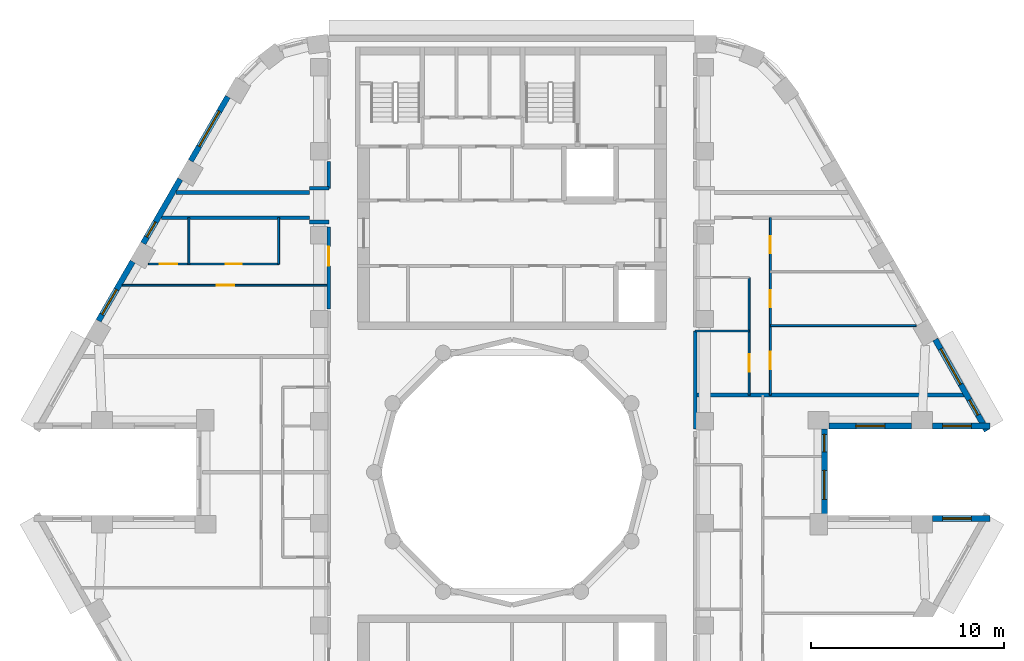
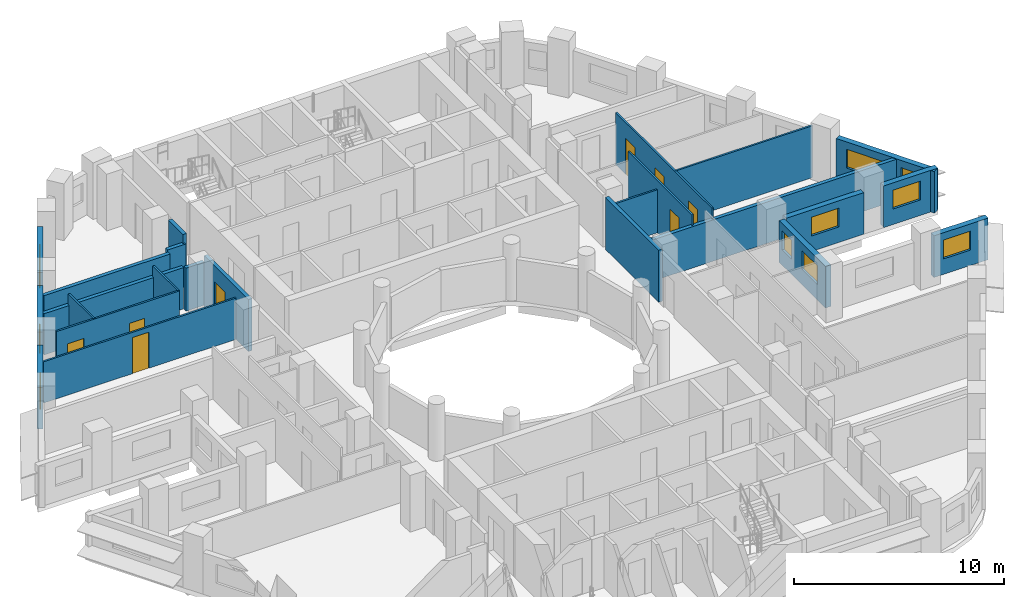
# One storey, part 6 of 12: 24 walls, 10 windows, 8 doors, 18 openings.
"""IFC4 building model written with IfcOpenShell, lengths in metres."""

from ifc_helpers import new_model, si_unit, direction, frame, frame_2d, origin, place, context, subcontext, project, spatial, rectangle, extrude, material, layer, layer_set, type_object, element, fill, save


model = new_model("IFC4")

# Units and contexts
model_context = context("Model", 3, precision=1e-05, world=origin(), true_north=direction((0.0, 1.0)))
body_context = subcontext(model_context, "Body", "Model", "MODEL_VIEW")
ifc_project = project(units=[si_unit("LENGTHUNIT", "METRE"), si_unit("AREAUNIT", "SQUARE_METRE"), si_unit("VOLUMEUNIT", "CUBIC_METRE"), si_unit("PLANEANGLEUNIT", "RADIAN"), si_unit("MASSUNIT", "GRAM", prefix="KILO")], contexts=[model_context])

# Site, building, storey
site_placement = place(None, origin())
site = spatial("IfcSite", under=ifc_project, at=site_placement, CompositionType="ELEMENT")
building_placement = place(site_placement, origin())
building = spatial("IfcBuilding", under=site, at=building_placement, Name="Nakaniwa Court", CompositionType="ELEMENT")
storey_placement = place(building_placement, frame((0.0, 0.0, 249.300048828125)))
storey = spatial("IfcBuildingStorey", under=building, at=storey_placement, Name="L65", CompositionType="ELEMENT", Elevation=249.300048828125)

# Walls
ifc_material_1 = material(Name="Acoustic double stud partition")
ifc_layer_1 = layer(ifc_material_1, 0.199951171875)
ifc_layer_set_1 = layer_set([ifc_layer_1], Name="Acoustic double stud partition")
wall_type_1 = type_object("IfcWallType", Name="Acoustic double stud partition 200", PredefinedType="PARTITIONING", material=ifc_layer_set_1)
wall_1_placement = place(storey_placement, frame((89.5, 82.237060546875, 0.0), z_axis=(0.0, 0.0, 1.0), x_axis=(0.0, 1.0, 0.0)))
element("IfcWall", 1, at=wall_1_placement, inside=storey, type_object=wall_type_1, Name="Partition PW-064", PredefinedType="PARTITIONING", context=body_context, shape_type="SweptSolid", body=[
    extrude(rectangle(XDim=5.09326171875, YDim=0.199951171875, at=frame_2d((2.546630859375, 0.0))), origin(), (0.0, 0.0, 1.0), 3.02490234375),
])
wall_2_placement = place(storey_placement, frame((61.8134765625, 93.199951171875, 0.0), z_axis=(0.0, 0.0, 1.0), x_axis=(1.0, 0.0, 0.0)))
element("IfcWall", 2, at=wall_2_placement, inside=storey, type_object=wall_type_1, Name="Partition PW-070", PredefinedType="PARTITIONING", context=body_context, shape_type="SweptSolid", body=[
    extrude(rectangle(XDim=7.6865234375, YDim=0.199951171875, at=frame_2d((3.84326171875, 0.0))), origin(), (0.0, 0.0, 1.0), 2.405029296875),
])
for number, where, z_axis, x_axis, name in (
    (3, (69.5, 92.97509765625, 0.0), (0.0, 0.0, 1.0), (1.0, 0.0, 0.0), "Partition PW-072"),
    (4, (69.5, 94.72509765625, 0.0), (0.0, 0.0, 1.0), (1.0, 0.0, 0.0), "Partition PW-074"),
):
    element("IfcWall", number, at=place(storey_placement, frame(where, z_axis=z_axis, x_axis=x_axis)), inside=storey, type_object=wall_type_1, Name=name, PredefinedType="PARTITIONING", context=body_context, shape_type="SweptSolid", body=[
        extrude(rectangle(XDim=1.0, YDim=0.199951171875, at=frame_2d((0.5, 0.0))), origin(), (0.0, 0.0, 1.0), 2.5048828125),
    ])
wall_3_placement = place(storey_placement, frame((62.56396484375, 94.5, 0.0), z_axis=(0.0, 0.0, 1.0), x_axis=(1.0, 0.0, 0.0)))
element("IfcWall", 5, at=wall_3_placement, inside=storey, type_object=wall_type_1, Name="Partition PW-076", PredefinedType="PARTITIONING", context=body_context, shape_type="SweptSolid", body=[
    extrude(rectangle(XDim=6.93603515625, YDim=0.199951171875, at=frame_2d((3.468017578125, 0.0))), origin(), (0.0, 0.0, 1.0), 2.405029296875),
])

# Wall, opening, door
wall_4_placement = place(storey_placement, frame((70.5, 88.47705078125, 0.0), z_axis=(0.0, 0.0, 1.0), x_axis=(0.0, 1.0, 0.0)))
wall_4 = element("IfcWall", 6, at=wall_4_placement, inside=storey, type_object=wall_type_1, Name="Partition PW-092", PredefinedType="PARTITIONING", context=body_context, shape_type="SweptSolid", body=[
    extrude(rectangle(XDim=4.23583984375, YDim=0.199951171875, at=frame_2d((2.117919921875, 0.0))), origin(), (0.0, 0.0, 1.0), 3.02490234375),
])
opening_1_placement = place(wall_4_placement, frame((2.22802734375, 0.0, 0.0)))
opening_1 = element("IfcOpeningElement", 7, at=opening_1_placement, cuts=wall_4, Name="Opening D-01-05", PredefinedType="OPENING", context=body_context, shape_type="SweptSolid", body=[
    extrude(rectangle(XDim=1.0, YDim=2.10009765625, at=frame_2d((0.5, 1.050048828125))), frame((0.0, 0.10986328125, 0.0), z_axis=(0.0, -1.0, 0.0), x_axis=(1.0, 0.0, 0.0)), (0.0, 0.0, 1.0), 0.219970703125),
])
ifc_material_2 = material(Name="Solid core timber door set, black veneer", Category="wood")
door_type_1 = type_object("IfcDoorType", Name="Flat entrance door 1000", OperationType="NOTDEFINED", PredefinedType="DOOR", material=ifc_material_2)
door_1_placement = place(opening_1_placement, origin())
door_1 = element("IfcDoor", 8, at=door_1_placement, inside=storey, type_object=door_type_1, Name="Door D-01-05 L65-055", OperationType="SINGLE_SWING_RIGHT", OverallHeight=2.10009765625, OverallWidth=1.0, PredefinedType="DOOR", context=body_context, shape_type="SweptSolid", body=[
    extrude(rectangle(XDim=1.0, YDim=2.10009765625, at=frame_2d((0.5, 1.050048828125))), frame((0.0, 0.02490234375, 0.0), z_axis=(0.0, -1.0, 0.0), x_axis=(1.0, 0.0, 0.0)), (0.0, 0.0, 1.0), 0.050048828125),
])
fill(opening_1, door_1)

# Walls
wall_5_placement = place(storey_placement, frame((70.5, 94.721923828125, 0.0), z_axis=(0.0, 0.0, 1.0), x_axis=(0.0, 1.0, 0.0)))
element("IfcWall", 9, at=wall_5_placement, inside=storey, type_object=wall_type_1, Name="Partition PW-093", PredefinedType="PARTITIONING", context=body_context, shape_type="SweptSolid", body=[
    extrude(rectangle(XDim=1.401123046875, YDim=0.199951171875, at=frame_2d((0.70068359375, 0.0))), origin(), (0.0, 0.0, 1.0), 3.02490234375),
])
wall_6_placement = place(storey_placement, frame((89.5, 84.0, 0.0), z_axis=(0.0, 0.0, 1.0), x_axis=(1.0, 0.0, 0.0)))
element("IfcWall", 10, at=wall_6_placement, inside=storey, type_object=wall_type_1, Name="Partition PW-102", PredefinedType="PARTITIONING", context=body_context, shape_type="SweptSolid", body=[
    extrude(rectangle(XDim=13.998291015625, YDim=0.199951171875, at=frame_2d((6.9990234375, 0.0))), origin(), (0.0, 0.0, 1.0), 2.405029296875),
])

# Wall, opening, window
ifc_material_3 = material(Name="Charcoal ceramic cladding")
ifc_layer_2 = layer(ifc_material_3, 0.02, Name="Ceramic cladding")
ifc_material_4 = material(Name="Ventilated air cavity")
ifc_layer_3 = layer(ifc_material_4, 0.04, ventilated=True, Name="Ventilated cavity")
ifc_material_5 = material(Name="Mineral wool insulation")
ifc_layer_4 = layer(ifc_material_5, 0.1, Name="Insulation")
ifc_material_6 = material(Name="Cement bonded sheathing board")
ifc_layer_5 = layer(ifc_material_6, 0.012, Name="Sheathing")
ifc_material_7 = material(Name="Cold-formed galvanised stud frame with mineral wool infill")
ifc_layer_6 = layer(ifc_material_7, 0.1, Name="Stud frame")
ifc_material_8 = material(Name="Fire-rated gypsum plasterboard lining")
ifc_layer_7 = layer(ifc_material_8, 0.028, Name="Lining")
ifc_layer_set_2 = layer_set([ifc_layer_2, ifc_layer_3, ifc_layer_4, ifc_layer_5, ifc_layer_6, ifc_layer_7], Name="Charcoal ceramic faced external wall system")
wall_type_2 = type_object("IfcWallType", Name="Black ceramic faced external wall 300", PredefinedType="SOLIDWALL", material=ifc_layer_set_2)
wall_7_placement = place(storey_placement, frame((96.445556640625, 82.39990234375, 0.0), z_axis=(0.0, 0.0, 1.0), x_axis=(1.0, 0.0, 0.0)))
wall_7 = element("IfcWall", 11, at=wall_7_placement, inside=storey, type_object=wall_type_2, Name="L65 external wall 00", PredefinedType="SOLIDWALL", context=body_context, shape_type="SweptSolid", body=[
    extrude(rectangle(XDim=4.2724609375, YDim=0.300048828125, at=frame_2d((2.13623046875, 0.0))), origin(), (0.0, 0.0, 1.0), 2.425048828125),
])
opening_2_placement = place(wall_7_placement, frame((1.38623046875, 0.0, 0.89990234375)))
opening_2 = element("IfcOpeningElement", 12, at=opening_2_placement, cuts=wall_7, Name="Opening W5.01", PredefinedType="OPENING", context=body_context, shape_type="SweptSolid", body=[
    extrude(rectangle(XDim=1.5, YDim=1.10009765625, at=frame_2d((0.75, 0.550048828125))), frame((0.0, 0.159912109375, 0.0), z_axis=(0.0, -1.0, 0.0), x_axis=(1.0, 0.0, 0.0)), (0.0, 0.0, 1.0), 0.320068359375),
])
ifc_material_9 = material(Name="Black anodised aluminium frame with dark low-E laminated double glazing", Category="aluminium")
window_type_1 = type_object("IfcWindowType", Name="Dark glass window 1500x1100 sill 900", PartitioningType="SINGLE_PANEL", PredefinedType="WINDOW", material=ifc_material_9)
window_1_placement = place(opening_2_placement, origin())
window_1 = element("IfcWindow", 13, at=window_1_placement, inside=storey, type_object=window_type_1, Name="L65 bedroom window 00-0", OverallHeight=1.10009765625, OverallWidth=1.5, PartitioningType="SINGLE_PANEL", PredefinedType="WINDOW", context=body_context, shape_type="SweptSolid", body=[
    extrude(rectangle(XDim=1.5, YDim=1.10009765625, at=frame_2d((0.75, 0.550048828125))), frame((0.0, 0.030029296875, 0.0), z_axis=(0.0, -1.0, 0.0), x_axis=(1.0, 0.0, 0.0)), (0.0, 0.0, 1.0), 0.06005859375),
])
fill(opening_2, window_1)

wall_8_placement = place(storey_placement, frame((101.81005859375, 82.39990234375, 0.0), z_axis=(0.0, 0.0, 1.0), x_axis=(1.0, 0.0, 0.0)))
wall_8 = element("IfcWall", 14, at=wall_8_placement, inside=storey, type_object=wall_type_2, Name="L65 external wall 01", PredefinedType="SOLIDWALL", context=body_context, shape_type="SweptSolid", body=[
    extrude(rectangle(XDim=2.98779296875, YDim=0.300048828125, at=frame_2d((1.493896484375, 0.0))), origin(), (0.0, 0.0, 1.0), 2.425048828125),
])
opening_3_placement = place(wall_8_placement, frame((0.51904296875, 0.0, 0.89990234375)))
opening_3 = element("IfcOpeningElement", 15, at=opening_3_placement, cuts=wall_8, Name="Opening W5.02", PredefinedType="OPENING", context=body_context, shape_type="SweptSolid", body=[
    extrude(rectangle(XDim=1.5, YDim=1.10009765625, at=frame_2d((0.75, 0.550048828125))), frame((0.0, 0.159912109375, 0.0), z_axis=(0.0, -1.0, 0.0), x_axis=(1.0, 0.0, 0.0)), (0.0, 0.0, 1.0), 0.320068359375),
])
window_2_placement = place(opening_3_placement, origin())
window_2 = element("IfcWindow", 16, at=window_2_placement, inside=storey, type_object=window_type_1, Name="L65 bedroom window 01-0", OverallHeight=1.10009765625, OverallWidth=1.5, PartitioningType="SINGLE_PANEL", PredefinedType="WINDOW", context=body_context, shape_type="SweptSolid", body=[
    extrude(rectangle(XDim=1.5, YDim=1.10009765625, at=frame_2d((0.75, 0.550048828125))), frame((0.0, 0.030029296875, 0.0), z_axis=(0.0, -1.0, 0.0), x_axis=(1.0, 0.0, 0.0)), (0.0, 0.0, 1.0), 0.06005859375),
])
fill(opening_3, window_2)

# Wall, openings, windows
wall_9_placement = place(storey_placement, frame((104.627197265625, 82.153564453125, 0.0), z_axis=(0.0, 0.0, 1.0), x_axis=(-0.492080931903, 0.870549456641, 0.0)))
wall_9 = element("IfcWall", 17, at=wall_9_placement, inside=storey, type_object=wall_type_2, Name="L65 external wall 02", PredefinedType="SOLIDWALL", context=body_context, shape_type="SweptSolid", body=[
    extrude(rectangle(XDim=5.436767578125, YDim=0.300048828125, at=frame_2d((2.71826171875, 0.0))), origin(), (0.0, 0.0, 1.0), 2.425048828125),
])
opening_4_placement = place(wall_9_placement, frame((0.934326171875, 0.0, 0.89990234375)))
opening_4 = element("IfcOpeningElement", 18, at=opening_4_placement, cuts=wall_9, Name="Opening W9.03", PredefinedType="OPENING", context=body_context, shape_type="SweptSolid", body=[
    extrude(rectangle(XDim=0.89990234375, YDim=1.10009765625, at=frame_2d((0.449951171875, 0.550048828125))), frame((0.0, 0.159912109375, 0.0), z_axis=(0.0, -1.0, 0.0), x_axis=(1.0, 0.0, 0.0)), (0.0, 0.0, 1.0), 0.320068359375),
])
opening_5_placement = place(wall_9_placement, frame((2.76416015625, 0.0, 0.89990234375)))
opening_5 = element("IfcOpeningElement", 19, at=opening_5_placement, cuts=wall_9, Name="Opening W7.04", PredefinedType="OPENING", context=body_context, shape_type="SweptSolid", body=[
    extrude(rectangle(XDim=2.10009765625, YDim=1.10009765625, at=frame_2d((1.050048828125, 0.550048828125))), frame((0.0, 0.159912109375, 0.0), z_axis=(0.0, -1.0, 0.0), x_axis=(1.0, 0.0, 0.0)), (0.0, 0.0, 1.0), 0.320068359375),
])
window_type_2 = type_object("IfcWindowType", Name="Dark glass window 2100x1100 sill 900", PartitioningType="SINGLE_PANEL", PredefinedType="WINDOW", material=ifc_material_9)
window_3_placement = place(opening_5_placement, origin())
window_3 = element("IfcWindow", 20, at=window_3_placement, inside=storey, type_object=window_type_2, Name="L65 living window 02-1", OverallHeight=1.10009765625, OverallWidth=2.10009765625, PartitioningType="SINGLE_PANEL", PredefinedType="WINDOW", context=body_context, shape_type="SweptSolid", body=[
    extrude(rectangle(XDim=2.10009765625, YDim=1.10009765625, at=frame_2d((1.050048828125, 0.550048828125))), frame((0.0, 0.030029296875, 0.0), z_axis=(0.0, -1.0, 0.0), x_axis=(1.0, 0.0, 0.0)), (0.0, 0.0, 1.0), 0.06005859375),
])
fill(opening_5, window_3)
window_type_3 = type_object("IfcWindowType", Name="Dark glass window 900x1100 sill 900", PartitioningType="SINGLE_PANEL", PredefinedType="WINDOW", material=ifc_material_9)
window_4_placement = place(opening_4_placement, origin())
window_4 = element("IfcWindow", 21, at=window_4_placement, inside=storey, type_object=window_type_3, Name="L65 bedroom window 02-0", OverallHeight=1.10009765625, OverallWidth=0.89990234375, PartitioningType="SINGLE_PANEL", PredefinedType="WINDOW", context=body_context, shape_type="SweptSolid", body=[
    extrude(rectangle(XDim=0.89990234375, YDim=1.10009765625, at=frame_2d((0.449951171875, 0.550048828125))), frame((0.0, 0.030029296875, 0.0), z_axis=(0.0, -1.0, 0.0), x_axis=(1.0, 0.0, 0.0)), (0.0, 0.0, 1.0), 0.06005859375),
])
fill(opening_4, window_4)

# Wall, opening, window
wall_10_placement = place(storey_placement, frame((65.26416015625, 99.476806640625, 0.0), z_axis=(0.0, 0.0, 1.0), x_axis=(-0.499984490703, -0.866034357896, 0.0)))
wall_10 = element("IfcWall", 22, at=wall_10_placement, inside=storey, type_object=wall_type_2, Name="L65 external wall 11", PredefinedType="SOLIDWALL", context=body_context, shape_type="SweptSolid", body=[
    extrude(rectangle(XDim=3.84423828125, YDim=0.300048828125, at=frame_2d((1.922119140625, 0.0))), origin(), (0.0, 0.0, 1.0), 2.425048828125),
])
opening_6_placement = place(wall_10_placement, frame((0.8720703125, 0.0, 0.89990234375)))
opening_6 = element("IfcOpeningElement", 23, at=opening_6_placement, cuts=wall_10, Name="Opening W7.12", PredefinedType="OPENING", context=body_context, shape_type="SweptSolid", body=[
    extrude(rectangle(XDim=2.10009765625, YDim=1.10009765625, at=frame_2d((1.050048828125, 0.550048828125))), frame((0.0, 0.159912109375, 0.0), z_axis=(0.0, -1.0, 0.0), x_axis=(1.0, 0.0, 0.0)), (0.0, 0.0, 1.0), 0.320068359375),
])
window_5_placement = place(opening_6_placement, origin())
window_5 = element("IfcWindow", 24, at=window_5_placement, inside=storey, type_object=window_type_2, Name="L65 habitable room window 11-0", OverallHeight=1.10009765625, OverallWidth=2.10009765625, PartitioningType="SINGLE_PANEL", PredefinedType="WINDOW", context=body_context, shape_type="SweptSolid", body=[
    extrude(rectangle(XDim=2.10009765625, YDim=1.10009765625, at=frame_2d((1.050048828125, 0.550048828125))), frame((0.0, 0.030029296875, 0.0), z_axis=(0.0, -1.0, 0.0), x_axis=(1.0, 0.0, 0.0)), (0.0, 0.0, 1.0), 0.06005859375),
])
fill(opening_6, window_5)

wall_11_placement = place(storey_placement, frame((62.7958984375, 95.201904296875, 0.0), z_axis=(0.0, 0.0, 1.0), x_axis=(-0.499984490703, -0.866034357896, 0.0)))
wall_11 = element("IfcWall", 25, at=wall_11_placement, inside=storey, type_object=wall_type_2, Name="L65 external wall 12", PredefinedType="SOLIDWALL", context=body_context, shape_type="SweptSolid", body=[
    extrude(rectangle(XDim=3.84423828125, YDim=0.300048828125, at=frame_2d((1.922119140625, 0.0))), origin(), (0.0, 0.0, 1.0), 2.425048828125),
])
opening_7_placement = place(wall_11_placement, frame((2.56689453125, 0.0, 0.89990234375)))
opening_7 = element("IfcOpeningElement", 26, at=opening_7_placement, cuts=wall_11, Name="Opening W9.13", PredefinedType="OPENING", context=body_context, shape_type="SweptSolid", body=[
    extrude(rectangle(XDim=0.89990234375, YDim=1.10009765625, at=frame_2d((0.449951171875, 0.550048828125))), frame((0.0, 0.159912109375, 0.0), z_axis=(0.0, -1.0, 0.0), x_axis=(1.0, 0.0, 0.0)), (0.0, 0.0, 1.0), 0.320068359375),
])
window_6_placement = place(opening_7_placement, origin())
window_6 = element("IfcWindow", 27, at=window_6_placement, inside=storey, type_object=window_type_3, Name="L65 habitable room window 12-2", OverallHeight=1.10009765625, OverallWidth=0.89990234375, PartitioningType="SINGLE_PANEL", PredefinedType="WINDOW", context=body_context, shape_type="SweptSolid", body=[
    extrude(rectangle(XDim=0.89990234375, YDim=1.10009765625, at=frame_2d((0.449951171875, 0.550048828125))), frame((0.0, 0.030029296875, 0.0), z_axis=(0.0, -1.0, 0.0), x_axis=(1.0, 0.0, 0.0)), (0.0, 0.0, 1.0), 0.06005859375),
])
fill(opening_7, window_6)

wall_12_placement = place(storey_placement, frame((60.327880859375, 90.927001953125, 0.0), z_axis=(0.0, 0.0, 1.0), x_axis=(-0.500010404316, -0.866019396766, 0.0)))
wall_12 = element("IfcWall", 28, at=wall_12_placement, inside=storey, type_object=wall_type_2, Name="L65 external wall 13", PredefinedType="SOLIDWALL", context=body_context, shape_type="SweptSolid", body=[
    extrude(rectangle(XDim=3.54736328125, YDim=0.300048828125, at=frame_2d((1.773681640625, 0.0))), origin(), (0.0, 0.0, 1.0), 2.425048828125),
])
opening_8_placement = place(wall_12_placement, frame((1.6708984375, 0.0, 0.89990234375)))
opening_8 = element("IfcOpeningElement", 29, at=opening_8_placement, cuts=wall_12, Name="Opening W5.14", PredefinedType="OPENING", context=body_context, shape_type="SweptSolid", body=[
    extrude(rectangle(XDim=1.5, YDim=1.10009765625, at=frame_2d((0.75, 0.550048828125))), frame((0.0, 0.159912109375, 0.0), z_axis=(0.0, -1.0, 0.0), x_axis=(1.0, 0.0, 0.0)), (0.0, 0.0, 1.0), 0.320068359375),
])
window_7_placement = place(opening_8_placement, origin())
window_7 = element("IfcWindow", 30, at=window_7_placement, inside=storey, type_object=window_type_1, Name="L65 living window 13-1", OverallHeight=1.10009765625, OverallWidth=1.5, PartitioningType="SINGLE_PANEL", PredefinedType="WINDOW", context=body_context, shape_type="SweptSolid", body=[
    extrude(rectangle(XDim=1.5, YDim=1.10009765625, at=frame_2d((0.75, 0.550048828125))), frame((0.0, 0.030029296875, 0.0), z_axis=(0.0, -1.0, 0.0), x_axis=(1.0, 0.0, 0.0)), (0.0, 0.0, 1.0), 0.06005859375),
])
fill(opening_8, window_7)

wall_13_placement = place(storey_placement, frame((104.7978515625, 77.60009765625, 0.0), z_axis=(0.0, 0.0, 1.0), x_axis=(-1.0, 0.0, 0.0)))
wall_13 = element("IfcWall", 31, at=wall_13_placement, inside=storey, type_object=wall_type_2, Name="L65 external wall 33", PredefinedType="SOLIDWALL", context=body_context, shape_type="SweptSolid", body=[
    extrude(rectangle(XDim=2.98779296875, YDim=0.300048828125, at=frame_2d((1.493896484375, 0.0))), origin(), (0.0, 0.0, 1.0), 2.425048828125),
])
opening_9_placement = place(wall_13_placement, frame((0.968994140625, 0.0, 0.89990234375)))
opening_9 = element("IfcOpeningElement", 32, at=opening_9_placement, cuts=wall_13, Name="Opening W5.34", PredefinedType="OPENING", context=body_context, shape_type="SweptSolid", body=[
    extrude(rectangle(XDim=1.5, YDim=1.10009765625, at=frame_2d((0.75, 0.550048828125))), frame((0.0, 0.159912109375, 0.0), z_axis=(0.0, -1.0, 0.0), x_axis=(1.0, 0.0, 0.0)), (0.0, 0.0, 1.0), 0.320068359375),
])
window_8_placement = place(opening_9_placement, origin())
window_8 = element("IfcWindow", 33, at=window_8_placement, inside=storey, type_object=window_type_1, Name="L65 living window 33-0", OverallHeight=1.10009765625, OverallWidth=1.5, PartitioningType="SINGLE_PANEL", PredefinedType="WINDOW", context=body_context, shape_type="SweptSolid", body=[
    extrude(rectangle(XDim=1.5, YDim=1.10009765625, at=frame_2d((0.75, 0.550048828125))), frame((0.0, 0.030029296875, 0.0), z_axis=(0.0, -1.0, 0.0), x_axis=(1.0, 0.0, 0.0)), (0.0, 0.0, 1.0), 0.06005859375),
])
fill(opening_9, window_8)

# Wall, openings, windows
wall_14_placement = place(storey_placement, frame((96.199462890625, 77.845947265625, 0.0), z_axis=(0.0, 0.0, 1.0), x_axis=(0.0, 1.0, 0.0)))
wall_14 = element("IfcWall", 34, at=wall_14_placement, inside=storey, type_object=wall_type_2, Name="L65 external wall 35", PredefinedType="SOLIDWALL", context=body_context, shape_type="SweptSolid", body=[
    extrude(rectangle(XDim=4.407958984375, YDim=0.300048828125, at=frame_2d((2.2041015625, 0.0))), origin(), (0.0, 0.0, 1.0), 2.425048828125),
])
opening_10_placement = place(wall_14_placement, frame((0.74755859375, 0.0, 0.89990234375)))
opening_10 = element("IfcOpeningElement", 35, at=opening_10_placement, cuts=wall_14, Name="Opening W5.36", PredefinedType="OPENING", context=body_context, shape_type="SweptSolid", body=[
    extrude(rectangle(XDim=1.5, YDim=1.10009765625, at=frame_2d((0.75, 0.550048828125))), frame((0.0, 0.159912109375, 0.0), z_axis=(0.0, -1.0, 0.0), x_axis=(1.0, 0.0, 0.0)), (0.0, 0.0, 1.0), 0.320068359375),
])
opening_11_placement = place(wall_14_placement, frame((3.214599609375, 0.0, 0.89990234375)))
opening_11 = element("IfcOpeningElement", 36, at=opening_11_placement, cuts=wall_14, Name="Opening W9.37", PredefinedType="OPENING", context=body_context, shape_type="SweptSolid", body=[
    extrude(rectangle(XDim=0.89990234375, YDim=1.10009765625, at=frame_2d((0.449951171875, 0.550048828125))), frame((0.0, 0.159912109375, 0.0), z_axis=(0.0, -1.0, 0.0), x_axis=(1.0, 0.0, 0.0)), (0.0, 0.0, 1.0), 0.320068359375),
])
window_9_placement = place(opening_10_placement, origin())
window_9 = element("IfcWindow", 37, at=window_9_placement, inside=storey, type_object=window_type_1, Name="L65 bedroom window 35-0", OverallHeight=1.10009765625, OverallWidth=1.5, PartitioningType="SINGLE_PANEL", PredefinedType="WINDOW", context=body_context, shape_type="SweptSolid", body=[
    extrude(rectangle(XDim=1.5, YDim=1.10009765625, at=frame_2d((0.75, 0.550048828125))), frame((0.0, 0.030029296875, 0.0), z_axis=(0.0, -1.0, 0.0), x_axis=(1.0, 0.0, 0.0)), (0.0, 0.0, 1.0), 0.06005859375),
])
fill(opening_10, window_9)
window_10_placement = place(opening_11_placement, origin())
window_10 = element("IfcWindow", 38, at=window_10_placement, inside=storey, type_object=window_type_3, Name="L65 bedroom window 35-1", OverallHeight=1.10009765625, OverallWidth=0.89990234375, PartitioningType="SINGLE_PANEL", PredefinedType="WINDOW", context=body_context, shape_type="SweptSolid", body=[
    extrude(rectangle(XDim=0.89990234375, YDim=1.10009765625, at=frame_2d((0.449951171875, 0.550048828125))), frame((0.0, 0.030029296875, 0.0), z_axis=(0.0, -1.0, 0.0), x_axis=(1.0, 0.0, 0.0)), (0.0, 0.0, 1.0), 0.06005859375),
])
fill(opening_11, window_10)

# Wall
ifc_material_10 = material(Name="Single stud plasterboard partition")
ifc_layer_8 = layer(ifc_material_10, 0.10009765625)
ifc_layer_set_3 = layer_set([ifc_layer_8], Name="Single stud plasterboard partition")
wall_type_3 = type_object("IfcWallType", Name="Single stud plasterboard partition 100", PredefinedType="PARTITIONING", material=ifc_layer_set_3)
wall_15_placement = place(storey_placement, frame((89.5, 87.326904296875, 0.0), z_axis=(0.0, 0.0, 1.0), x_axis=(1.0, 0.0, 0.0)))
element("IfcWall", 39, at=wall_15_placement, inside=storey, type_object=wall_type_3, Name="Partition PW-106", PredefinedType="PARTITIONING", context=body_context, shape_type="SweptSolid", body=[
    extrude(rectangle(XDim=2.800048828125, YDim=0.10009765625, at=frame_2d((1.39990234375, 0.0))), origin(), (0.0, 0.0, 1.0), 2.5048828125),
])

# Wall, opening, door
wall_16_placement = place(storey_placement, frame((92.300048828125, 84.0, 0.0), z_axis=(0.0, 0.0, 1.0), x_axis=(0.0, 1.0, 0.0)))
wall_16 = element("IfcWall", 40, at=wall_16_placement, inside=storey, type_object=wall_type_3, Name="Partition PW-107", PredefinedType="PARTITIONING", context=body_context, shape_type="SweptSolid", body=[
    extrude(rectangle(XDim=6.10009765625, YDim=0.10009765625, at=frame_2d((3.050048828125, 0.0))), origin(), (0.0, 0.0, 1.0), 3.02490234375),
])
opening_12_placement = place(wall_16_placement, frame((1.214111328125, 0.0, 0.0)))
opening_12 = element("IfcOpeningElement", 41, at=opening_12_placement, cuts=wall_16, Name="Opening D-33-06", PredefinedType="OPENING", context=body_context, shape_type="SweptSolid", body=[
    extrude(rectangle(XDim=0.89990234375, YDim=2.10009765625, at=frame_2d((0.449951171875, 1.050048828125))), frame((0.0, 0.06005859375, 0.0), z_axis=(0.0, -1.0, 0.0), x_axis=(1.0, 0.0, 0.0)), (0.0, 0.0, 1.0), 0.1201171875),
])
door_type_2 = type_object("IfcDoorType", Name="Internal door 900", OperationType="NOTDEFINED", PredefinedType="DOOR", material=ifc_material_2)
door_2_placement = place(opening_12_placement, origin())
door_2 = element("IfcDoor", 42, at=door_2_placement, inside=storey, type_object=door_type_2, Name="Door D-33-06 L65-041", OperationType="SINGLE_SWING_RIGHT", OverallHeight=2.10009765625, OverallWidth=0.89990234375, PredefinedType="DOOR", context=body_context, shape_type="SweptSolid", body=[
    extrude(rectangle(XDim=0.89990234375, YDim=2.10009765625, at=frame_2d((0.449951171875, 1.050048828125))), frame((0.0, 0.02490234375, 0.0), z_axis=(0.0, -1.0, 0.0), x_axis=(1.0, 0.0, 0.0)), (0.0, 0.0, 1.0), 0.050048828125),
])
fill(opening_12, door_2)

# Wall, openings, doors
wall_17_placement = place(storey_placement, frame((93.39990234375, 93.199951171875, 0.0), z_axis=(0.0, 0.0, 1.0), x_axis=(0.0, -1.0, 0.0)))
wall_17 = element("IfcWall", 43, at=wall_17_placement, inside=storey, type_object=wall_type_3, Name="Partition PW-109", PredefinedType="PARTITIONING", context=body_context, shape_type="SweptSolid", body=[
    extrude(rectangle(XDim=9.199951171875, YDim=0.10009765625, at=frame_2d((4.60009765625, 0.0))), origin(), (0.0, 0.0, 1.0), 3.02490234375),
])
opening_13_placement = place(wall_17_placement, frame((6.949951171875, 0.0, 0.0)))
opening_13 = element("IfcOpeningElement", 44, at=opening_13_placement, cuts=wall_17, Name="Opening D-33-07", PredefinedType="OPENING", context=body_context, shape_type="SweptSolid", body=[
    extrude(rectangle(XDim=0.89990234375, YDim=2.10009765625, at=frame_2d((0.449951171875, 1.050048828125))), frame((0.0, 0.06005859375, 0.0), z_axis=(0.0, -1.0, 0.0), x_axis=(1.0, 0.0, 0.0)), (0.0, 0.0, 1.0), 0.1201171875),
])
opening_14_placement = place(wall_17_placement, frame((3.75, 0.0, 0.0)))
opening_14 = element("IfcOpeningElement", 45, at=opening_14_placement, cuts=wall_17, Name="Opening D-33-08", PredefinedType="OPENING", context=body_context, shape_type="SweptSolid", body=[
    extrude(rectangle(XDim=0.89990234375, YDim=2.10009765625, at=frame_2d((0.449951171875, 1.050048828125))), frame((0.0, 0.06005859375, 0.0), z_axis=(0.0, -1.0, 0.0), x_axis=(1.0, 0.0, 0.0)), (0.0, 0.0, 1.0), 0.1201171875),
])
opening_15_placement = place(wall_17_placement, frame((0.949951171875, 0.0, 0.0)))
opening_15 = element("IfcOpeningElement", 46, at=opening_15_placement, cuts=wall_17, Name="Opening D-33-09", PredefinedType="OPENING", context=body_context, shape_type="SweptSolid", body=[
    extrude(rectangle(XDim=0.89990234375, YDim=2.10009765625, at=frame_2d((0.449951171875, 1.050048828125))), frame((0.0, 0.06005859375, 0.0), z_axis=(0.0, -1.0, 0.0), x_axis=(1.0, 0.0, 0.0)), (0.0, 0.0, 1.0), 0.1201171875),
])
door_3_placement = place(opening_13_placement, origin())
door_3 = element("IfcDoor", 47, at=door_3_placement, inside=storey, type_object=door_type_2, Name="Door D-33-07 L65-043", OperationType="SINGLE_SWING_RIGHT", OverallHeight=2.10009765625, OverallWidth=0.89990234375, PredefinedType="DOOR", context=body_context, shape_type="SweptSolid", body=[
    extrude(rectangle(XDim=0.89990234375, YDim=2.10009765625, at=frame_2d((0.449951171875, 1.050048828125))), frame((0.0, 0.02490234375, 0.0), z_axis=(0.0, -1.0, 0.0), x_axis=(1.0, 0.0, 0.0)), (0.0, 0.0, 1.0), 0.050048828125),
])
fill(opening_13, door_3)
door_4_placement = place(opening_14_placement, origin())
door_4 = element("IfcDoor", 48, at=door_4_placement, inside=storey, type_object=door_type_2, Name="Door D-33-08 L65-044", OperationType="SINGLE_SWING_LEFT", OverallHeight=2.10009765625, OverallWidth=0.89990234375, PredefinedType="DOOR", context=body_context, shape_type="SweptSolid", body=[
    extrude(rectangle(XDim=0.89990234375, YDim=2.10009765625, at=frame_2d((0.449951171875, 1.050048828125))), frame((0.0, 0.02490234375, 0.0), z_axis=(0.0, -1.0, 0.0), x_axis=(1.0, 0.0, 0.0)), (0.0, 0.0, 1.0), 0.050048828125),
])
fill(opening_14, door_4)
door_5_placement = place(opening_15_placement, origin())
door_5 = element("IfcDoor", 49, at=door_5_placement, inside=storey, type_object=door_type_2, Name="Door D-33-09 L65-045", OperationType="SINGLE_SWING_RIGHT", OverallHeight=2.10009765625, OverallWidth=0.89990234375, PredefinedType="DOOR", context=body_context, shape_type="SweptSolid", body=[
    extrude(rectangle(XDim=0.89990234375, YDim=2.10009765625, at=frame_2d((0.449951171875, 1.050048828125))), frame((0.0, 0.02490234375, 0.0), z_axis=(0.0, -1.0, 0.0), x_axis=(1.0, 0.0, 0.0)), (0.0, 0.0, 1.0), 0.050048828125),
])
fill(opening_15, door_5)

# Walls
wall_18_placement = place(storey_placement, frame((93.39990234375, 87.60009765625, 0.0), z_axis=(0.0, 0.0, 1.0), x_axis=(1.0, 0.0, 0.0)))
element("IfcWall", 50, at=wall_18_placement, inside=storey, type_object=wall_type_3, Name="Partition PW-110", PredefinedType="PARTITIONING", context=body_context, shape_type="SweptSolid", body=[
    extrude(rectangle(XDim=7.555908203125, YDim=0.10009765625, at=frame_2d((3.77783203125, 0.0))), origin(), (0.0, 0.0, 1.0), 3.02490234375),
])
wall_19_placement = place(storey_placement, frame((63.243896484375, 90.800048828125, 0.0), z_axis=(0.0, 0.0, 1.0), x_axis=(0.0, 1.0, 0.0)))
element("IfcWall", 51, at=wall_19_placement, inside=storey, type_object=wall_type_3, Name="Partition PW-121", PredefinedType="PARTITIONING", context=body_context, shape_type="SweptSolid", body=[
    extrude(rectangle(XDim=2.39990234375, YDim=0.10009765625, at=frame_2d((1.199951171875, 0.0))), origin(), (0.0, 0.0, 1.0), 3.02490234375),
])

# Wall, openings, doors
wall_20_placement = place(storey_placement, frame((61.143798828125, 90.800048828125, 0.0), z_axis=(0.0, 0.0, 1.0), x_axis=(1.0, 0.0, 0.0)))
wall_20 = element("IfcWall", 52, at=wall_20_placement, inside=storey, type_object=wall_type_3, Name="Partition PW-122", PredefinedType="PARTITIONING", context=body_context, shape_type="SweptSolid", body=[
    extrude(rectangle(XDim=6.756103515625, YDim=0.10009765625, at=frame_2d((3.3779296875, 0.0))), origin(), (0.0, 0.0, 1.0), 3.02490234375),
])
opening_16_placement = place(wall_20_placement, frame((0.60009765625, 0.0, 0.0)))
opening_16 = element("IfcOpeningElement", 53, at=opening_16_placement, cuts=wall_20, Name="Opening D-33-14", PredefinedType="OPENING", context=body_context, shape_type="SweptSolid", body=[
    extrude(rectangle(XDim=0.89990234375, YDim=2.10009765625, at=frame_2d((0.449951171875, 1.050048828125))), frame((0.0, 0.06005859375, 0.0), z_axis=(0.0, -1.0, 0.0), x_axis=(1.0, 0.0, 0.0)), (0.0, 0.0, 1.0), 0.1201171875),
])
opening_17_placement = place(wall_20_placement, frame((4.0029296875, 0.0, 0.0)))
opening_17 = element("IfcOpeningElement", 54, at=opening_17_placement, cuts=wall_20, Name="Opening D-03-06", PredefinedType="OPENING", context=body_context, shape_type="SweptSolid", body=[
    extrude(rectangle(XDim=0.85009765625, YDim=2.10009765625, at=frame_2d((0.425048828125, 1.050048828125))), frame((0.0, 0.06005859375, 0.0), z_axis=(0.0, -1.0, 0.0), x_axis=(1.0, 0.0, 0.0)), (0.0, 0.0, 1.0), 0.1201171875),
])
ifc_material_11 = material(Name="Moisture sealed timber door set", Category="wood")
door_type_3 = type_object("IfcDoorType", Name="Bathroom door 850", OperationType="NOTDEFINED", PredefinedType="DOOR", material=ifc_material_11)
door_6_placement = place(opening_17_placement, origin())
door_6 = element("IfcDoor", 55, at=door_6_placement, inside=storey, type_object=door_type_3, Name="Door D-03-06 L65-057", OperationType="SINGLE_SWING_RIGHT", OverallHeight=2.10009765625, OverallWidth=0.85009765625, PredefinedType="DOOR", context=body_context, shape_type="SweptSolid", body=[
    extrude(rectangle(XDim=0.85009765625, YDim=2.10009765625, at=frame_2d((0.425048828125, 1.050048828125))), frame((0.0, 0.02490234375, 0.0), z_axis=(0.0, -1.0, 0.0), x_axis=(1.0, 0.0, 0.0)), (0.0, 0.0, 1.0), 0.050048828125),
])
fill(opening_17, door_6)
door_7_placement = place(opening_16_placement, origin())
door_7 = element("IfcDoor", 56, at=door_7_placement, inside=storey, type_object=door_type_2, Name="Door D-33-14 L65-056", OperationType="SINGLE_SWING_LEFT", OverallHeight=2.10009765625, OverallWidth=0.89990234375, PredefinedType="DOOR", context=body_context, shape_type="SweptSolid", body=[
    extrude(rectangle(XDim=0.89990234375, YDim=2.10009765625, at=frame_2d((0.449951171875, 1.050048828125))), frame((0.0, 0.02490234375, 0.0), z_axis=(0.0, -1.0, 0.0), x_axis=(1.0, 0.0, 0.0)), (0.0, 0.0, 1.0), 0.050048828125),
])
fill(opening_16, door_7)

# Wall
wall_21_placement = place(storey_placement, frame((67.89990234375, 90.800048828125, 0.0), z_axis=(0.0, 0.0, 1.0), x_axis=(0.0, 1.0, 0.0)))
element("IfcWall", 57, at=wall_21_placement, inside=storey, type_object=wall_type_3, Name="Partition PW-123", PredefinedType="PARTITIONING", context=body_context, shape_type="SweptSolid", body=[
    extrude(rectangle(XDim=2.39990234375, YDim=0.10009765625, at=frame_2d((1.199951171875, 0.0))), origin(), (0.0, 0.0, 1.0), 3.02490234375),
])

# Wall, opening, door
wall_22_placement = place(storey_placement, frame((70.5, 89.699951171875, 0.0), z_axis=(0.0, 0.0, 1.0), x_axis=(-1.0, 0.0, 0.0)))
wall_22 = element("IfcWall", 58, at=wall_22_placement, inside=storey, type_object=wall_type_3, Name="Partition PW-124", PredefinedType="PARTITIONING", context=body_context, shape_type="SweptSolid", body=[
    extrude(rectangle(XDim=10.707275390625, YDim=0.10009765625, at=frame_2d((5.353515625, 0.0))), origin(), (0.0, 0.0, 1.0), 2.405029296875),
])
opening_18_placement = place(wall_22_placement, frame((4.903076171875, 0.0, 0.0)))
opening_18 = element("IfcOpeningElement", 59, at=opening_18_placement, cuts=wall_22, Name="Opening D-33-15", PredefinedType="OPENING", context=body_context, shape_type="SweptSolid", body=[
    extrude(rectangle(XDim=0.89990234375, YDim=2.10009765625, at=frame_2d((0.449951171875, 1.050048828125))), frame((0.0, 0.06005859375, 0.0), z_axis=(0.0, -1.0, 0.0), x_axis=(1.0, 0.0, 0.0)), (0.0, 0.0, 1.0), 0.1201171875),
])
door_8_placement = place(opening_18_placement, origin())
door_8 = element("IfcDoor", 60, at=door_8_placement, inside=storey, type_object=door_type_2, Name="Door D-33-15 L65-058", OperationType="SINGLE_SWING_LEFT", OverallHeight=2.10009765625, OverallWidth=0.89990234375, PredefinedType="DOOR", context=body_context, shape_type="SweptSolid", body=[
    extrude(rectangle(XDim=0.89990234375, YDim=2.10009765625, at=frame_2d((0.449951171875, 1.050048828125))), frame((0.0, 0.02490234375, 0.0), z_axis=(0.0, -1.0, 0.0), x_axis=(1.0, 0.0, 0.0)), (0.0, 0.0, 1.0), 0.050048828125),
])
fill(opening_18, door_8)

save(model, "model.ifc")
